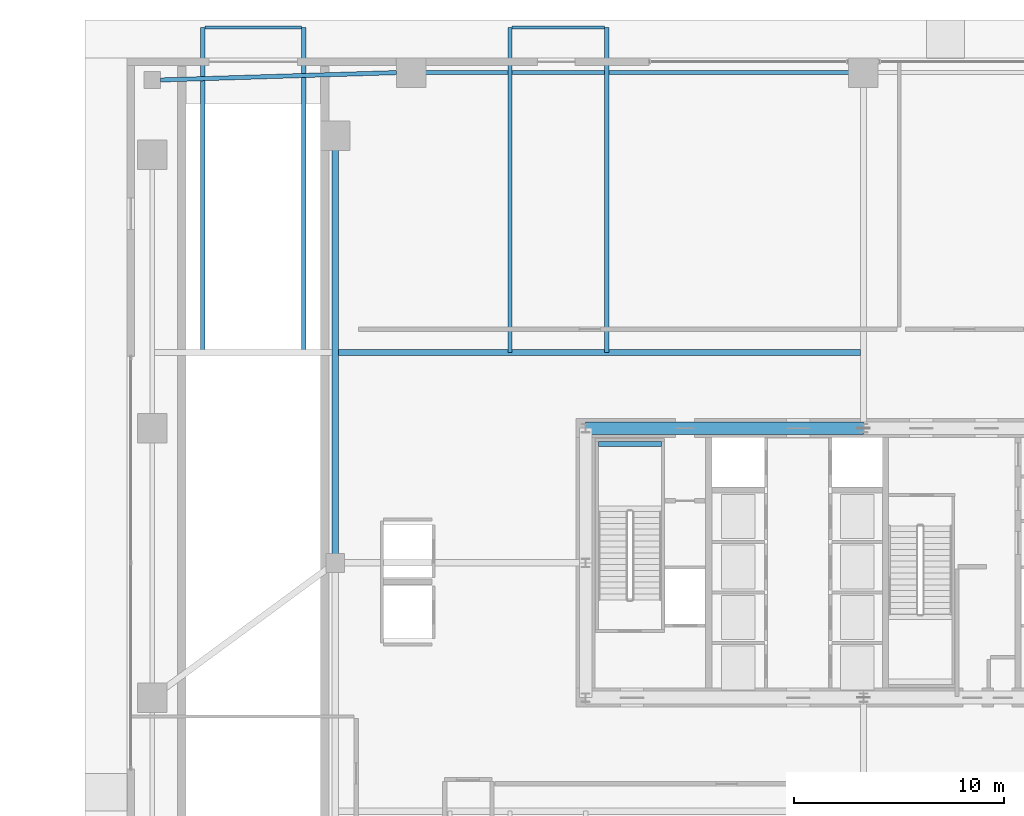
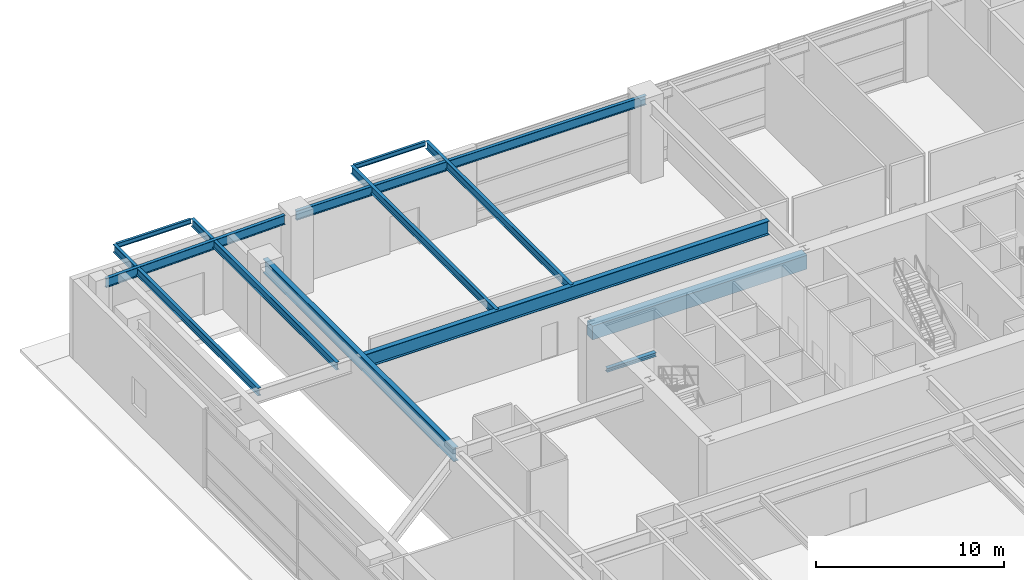
# One storey, part 13 of 32: 12 beams.
"""IFC4 building model written with IfcOpenShell, lengths in metres."""

from ifc_helpers import new_model, si_unit, direction, frame, origin, origin_2d, place, context, subcontext, project, spatial, rectangle, i_section, extrude, source, transform, mapped, material, material_profile, profile_set, type_object, element, save


model = new_model("IFC4")

# Units and contexts
model_context = context("Model", 3, precision=1e-05, world=origin(), true_north=direction((0.0, 1.0)))
body_context = subcontext(model_context, "Body", "Model", "MODEL_VIEW")
ifc_project = project(units=[si_unit("LENGTHUNIT", "METRE"), si_unit("AREAUNIT", "SQUARE_METRE"), si_unit("VOLUMEUNIT", "CUBIC_METRE"), si_unit("PLANEANGLEUNIT", "RADIAN"), si_unit("MASSUNIT", "GRAM", prefix="KILO"), si_unit("THERMODYNAMICTEMPERATUREUNIT", "KELVIN"), si_unit("POWERUNIT", "WATT")], contexts=[model_context])

# Site, building, storey
site_placement = place(None, origin())
site = spatial("IfcSite", under=ifc_project, at=site_placement, CompositionType="ELEMENT")
building_placement = place(site_placement, origin())
building = spatial("IfcBuilding", under=site, at=building_placement, Name="Yuzanri Waterfront Tower", CompositionType="ELEMENT")
storey_placement = place(building_placement, origin())
storey = spatial("IfcBuildingStorey", under=building, at=storey_placement, Name="L01", CompositionType="ELEMENT", Elevation=0.0)

# Beams
ifc_material_1 = material(Name="Concrete C60", Category="concrete")
ifc_material_profile_1 = material_profile(ifc_material_1, rectangle(XDim=0.60009765625, YDim=0.89990234375, at=origin_2d()), Name="RC 600x900")
ifc_profile_set_1 = profile_set([ifc_material_profile_1], Name="Concrete C60")
beam_type_1 = type_object("IfcBeamType", Name="Core Coupling Lintel Concrete C60 600x900", PredefinedType="LINTEL", material=ifc_profile_set_1)
shared_shape_1 = source(origin(), body_context, "Body", "SweptSolid", [
    extrude(rectangle(XDim=0.60009765625, YDim=0.89990234375, at=origin_2d()), origin(), (0.0, 0.0, 1.0), 13.199951171875),
])
beam_1_placement = place(storey_placement, frame((23.800048828125, 32.199951171875, 4.669921875), z_axis=(1.0, 0.0, 0.0), x_axis=(0.0, 1.0, 0.0)))
element("IfcBeam", 1, at=beam_1_placement, inside=storey, type_object=beam_type_1, Name="L01 Core Tie Beam CN1", PredefinedType="LINTEL", context=body_context, shape_type="MappedRepresentation", body=[
    mapped(shared_shape_1, transform((0.0, 0.0, 0.0), scale=1.0)),
])
ifc_material_2 = material(Name="Steel Q355B", Category="steel")
ifc_material_profile_2 = material_profile(ifc_material_2, i_section(OverallWidth=0.300048828125, OverallDepth=0.89990234375, WebThickness=0.01611328125, FlangeThickness=0.028076171875, at=origin_2d()), Name="HN 900x300x16x28")
ifc_profile_set_2 = profile_set([ifc_material_profile_2], Name="Steel Q355B")
beam_type_2 = type_object("IfcBeamType", Name="Primary Podium Girder Q355B HN 900x300", PredefinedType="BEAM", material=ifc_profile_set_2)
shared_shape_2 = source(origin(), body_context, "Body", "SweptSolid", [
    extrude(i_section(OverallWidth=0.300048828125, OverallDepth=0.89990234375, WebThickness=0.01611328125, FlangeThickness=0.028076171875, at=origin_2d()), origin(), (0.0, 0.0, 1.0), 20.300048828125),
])
beam_2_placement = place(storey_placement, frame((11.89990234375, 25.800048828125, 4.669921875), z_axis=(0.0, 1.0, 0.0), x_axis=(-1.0, 0.0, 0.0)))
element("IfcBeam", 2, at=beam_2_placement, inside=storey, type_object=beam_type_2, Name="L01 Podium Spine Girder N", PredefinedType="BEAM", context=body_context, shape_type="MappedRepresentation", body=[
    mapped(shared_shape_2, transform((0.0, 0.0, 0.0), scale=1.0)),
])
ifc_material_3 = material(Name="Steel Q355B", Category="steel")
ifc_material_profile_3 = material_profile(ifc_material_3, i_section(OverallWidth=0.199951171875, OverallDepth=0.60009765625, WebThickness=0.010986328125, FlangeThickness=0.01708984375, at=origin_2d()), Name="HN 600x200x11x17")
ifc_profile_set_3 = profile_set([ifc_material_profile_3], Name="Steel Q355B")
beam_type_3 = type_object("IfcBeamType", Name="Perimeter Spandrel Q355B HN 600x200", PredefinedType="SPANDREL", material=ifc_profile_set_3)
shared_shape_3 = source(origin(), body_context, "Body", "SweptSolid", [
    extrude(i_section(OverallWidth=0.199951171875, OverallDepth=0.60009765625, WebThickness=0.010986328125, FlangeThickness=0.01708984375, at=origin_2d()), origin(), (0.0, 0.0, 1.0), 21.5),
])
beam_3_placement = place(storey_placement, frame((15.5, 49.10009765625, 4.820068359375), z_axis=(1.0, 0.0, 0.0), x_axis=(0.0, 1.0, 0.0)))
element("IfcBeam", 3, at=beam_3_placement, inside=storey, type_object=beam_type_3, Name="L01 North Spandrel 1", PredefinedType="SPANDREL", context=body_context, shape_type="MappedRepresentation", body=[
    mapped(shared_shape_3, transform((0.0, 0.0, 0.0), scale=1.0)),
])
shared_shape_4 = source(origin(), body_context, "Body", "SweptSolid", [
    extrude(i_section(OverallWidth=0.199951171875, OverallDepth=0.60009765625, WebThickness=0.010986328125, FlangeThickness=0.01708984375, at=origin_2d()), origin(), (0.0, 0.0, 1.0), 11.205322265625),
])
beam_4_placement = place(storey_placement, frame((3.60009765625, 48.75, 4.820068359375), z_axis=(0.999511799716, 0.031243595004, 0.0), x_axis=(-0.031243595004, 0.999511799716, 0.0)))
element("IfcBeam", 4, at=beam_4_placement, inside=storey, type_object=beam_type_3, Name="L01 North-West Corner Spandrel", PredefinedType="SPANDREL", context=body_context, shape_type="MappedRepresentation", body=[
    mapped(shared_shape_4, transform((0.0, 0.0, 0.0), scale=1.0)),
])
shared_shape_5 = source(origin(), body_context, "Body", "SweptSolid", [
    extrude(i_section(OverallWidth=0.300048828125, OverallDepth=0.89990234375, WebThickness=0.01611328125, FlangeThickness=0.028076171875, at=origin_2d()), origin(), (0.0, 0.0, 1.0), 24.800048828125),
])
beam_5_placement = place(storey_placement, frame((12.050048828125, 35.800048828125, 4.669921875), z_axis=(1.0, 0.0, 0.0), x_axis=(0.0, 1.0, 0.0)))
element("IfcBeam", 5, at=beam_5_placement, inside=storey, type_object=beam_type_2, Name="L01 Canopy Interior Tie Girder NW", PredefinedType="BEAM", context=body_context, shape_type="MappedRepresentation", body=[
    mapped(shared_shape_5, transform((0.0, 0.0, 0.0), scale=1.0)),
])
ifc_material_4 = material(Name="Steel Q355B", Category="steel")
ifc_material_profile_4 = material_profile(ifc_material_4, i_section(OverallWidth=0.199951171875, OverallDepth=0.5, WebThickness=0.010009765625, FlangeThickness=0.01611328125, at=origin_2d()), Name="HN 500x200x10x16")
ifc_profile_set_4 = profile_set([ifc_material_profile_4], Name="Steel Q355B")
beam_type_4 = type_object("IfcBeamType", Name="Secondary Floor Beam Q355B HN 500x200", PredefinedType="BEAM", material=ifc_profile_set_4)
shared_shape_6 = source(origin(), body_context, "Body", "SweptSolid", [
    extrude(i_section(OverallWidth=0.199951171875, OverallDepth=0.5, WebThickness=0.010009765625, FlangeThickness=0.01611328125, at=origin_2d()), origin(), (0.0, 0.0, 1.0), 15.449951171875),
])
for number, where, z_axis, x_axis, name in (
    (6, (20.199951171875, 35.800048828125, 4.8701171875), (0.0, 1.0, 0.0), (-1.0, 0.0, 0.0), "L01 Canopy N1 Left Outlooker"),
    (7, (24.800048828125, 35.800048828125, 4.8701171875), (0.0, 1.0, 0.0), (-1.0, 0.0, 0.0), "L01 Canopy N1 Right Outlooker"),
    (8, (5.60009765625, 35.800048828125, 4.8701171875), (0.0, 1.0, 0.0), (-1.0, 0.0, 0.0), "L01 Canopy N2 Left Outlooker"),
    (9, (10.39990234375, 35.800048828125, 4.8701171875), (0.0, 1.0, 0.0), (-1.0, 0.0, 0.0), "L01 Canopy N2 Right Outlooker"),
):
    element("IfcBeam", number, at=place(storey_placement, frame(where, z_axis=z_axis, x_axis=x_axis)), inside=storey, type_object=beam_type_4, Name=name, PredefinedType="BEAM", context=body_context, shape_type="MappedRepresentation", body=[
        mapped(shared_shape_6, transform((0.0, 0.0, 0.0), scale=1.0)),
    ])
ifc_material_5 = material(Name="Steel Q355B", Category="steel")
ifc_material_profile_5 = material_profile(ifc_material_5, i_section(OverallWidth=0.14990234375, OverallDepth=0.300048828125, WebThickness=0.006591796875, FlangeThickness=0.009033203125, at=origin_2d()), Name="HN 300x150x6.5x9")
ifc_profile_set_5 = profile_set([ifc_material_profile_5], Name="Steel Q355B")
beam_type_5 = type_object("IfcBeamType", Name="Balcony Outlooker Joist Q355B HN 300x150", PredefinedType="JOIST", material=ifc_profile_set_5)
shared_shape_7 = source(origin(), body_context, "Body", "SweptSolid", [
    extrude(i_section(OverallWidth=0.14990234375, OverallDepth=0.300048828125, WebThickness=0.006591796875, FlangeThickness=0.009033203125, at=origin_2d()), origin(), (0.0, 0.0, 1.0), 4.39990234375),
])
beam_6_placement = place(storey_placement, frame((20.300048828125, 51.25, 4.969970703125), z_axis=(1.0, 0.0, 0.0), x_axis=(0.0, 1.0, 0.0)))
element("IfcBeam", 10, at=beam_6_placement, inside=storey, type_object=beam_type_5, Name="L01 Canopy N1 Outer Edge Beam", PredefinedType="JOIST", context=body_context, shape_type="MappedRepresentation", body=[
    mapped(shared_shape_7, transform((0.0, 0.0, 0.0), scale=1.0)),
])
shared_shape_8 = source(origin(), body_context, "Body", "SweptSolid", [
    extrude(i_section(OverallWidth=0.14990234375, OverallDepth=0.300048828125, WebThickness=0.006591796875, FlangeThickness=0.009033203125, at=origin_2d()), origin(), (0.0, 0.0, 1.0), 4.60009765625),
])
beam_7_placement = place(storey_placement, frame((5.699951171875, 51.25, 4.969970703125), z_axis=(1.0, 0.0, 0.0), x_axis=(0.0, 1.0, 0.0)))
element("IfcBeam", 11, at=beam_7_placement, inside=storey, type_object=beam_type_5, Name="L01 Canopy N2 Outer Edge Beam", PredefinedType="JOIST", context=body_context, shape_type="MappedRepresentation", body=[
    mapped(shared_shape_8, transform((0.0, 0.0, 0.0), scale=1.0)),
])
ifc_material_6 = material(Name="Steel Q355B", Category="steel")
ifc_material_profile_6 = material_profile(ifc_material_6, i_section(OverallWidth=0.25, OverallDepth=0.25, WebThickness=0.009033203125, FlangeThickness=0.013916015625, at=origin_2d()), Name="HW 250x250x9x14")
ifc_profile_set_6 = profile_set([ifc_material_profile_6], Name="Steel Q355B")
beam_type_6 = type_object("IfcBeamType", Name="Stair Landing Support Beam Q355B HW 250x250", PredefinedType="BEAM", material=ifc_profile_set_6)
shared_shape_9 = source(origin(), body_context, "Body", "SweptSolid", [
    extrude(i_section(OverallWidth=0.25, OverallDepth=0.25, WebThickness=0.009033203125, FlangeThickness=0.013916015625, at=origin_2d()), origin(), (0.0, 0.0, 1.0), 3.0),
])
beam_8_placement = place(storey_placement, frame((24.39990234375, 31.449951171875, 2.375), z_axis=(1.0, 0.0, 0.0), x_axis=(0.0, 1.0, 0.0)))
element("IfcBeam", 12, at=beam_8_placement, inside=storey, type_object=beam_type_6, Name="L01 Stair Landing Support Beam ST-01-L01-L1-2", PredefinedType="BEAM", context=body_context, shape_type="MappedRepresentation", body=[
    mapped(shared_shape_9, transform((0.0, 0.0, 0.0), scale=1.0)),
])

save(model, "model.ifc")
